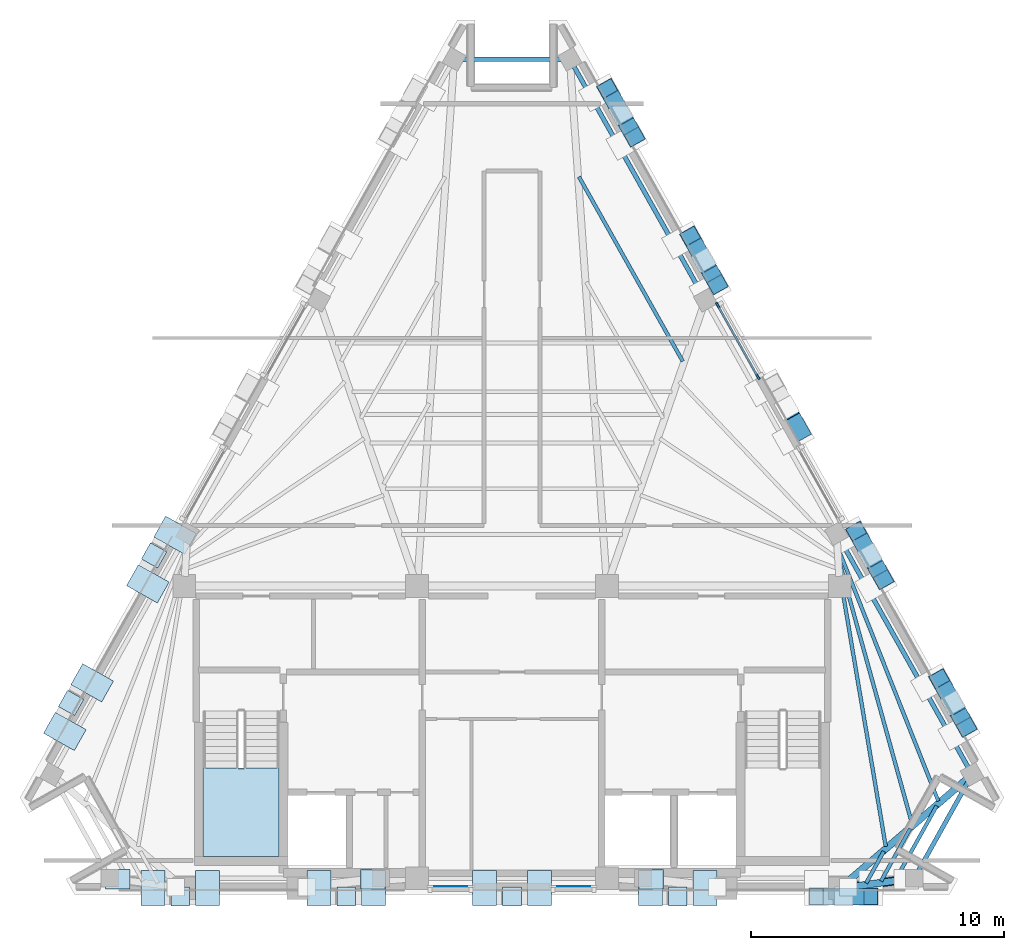
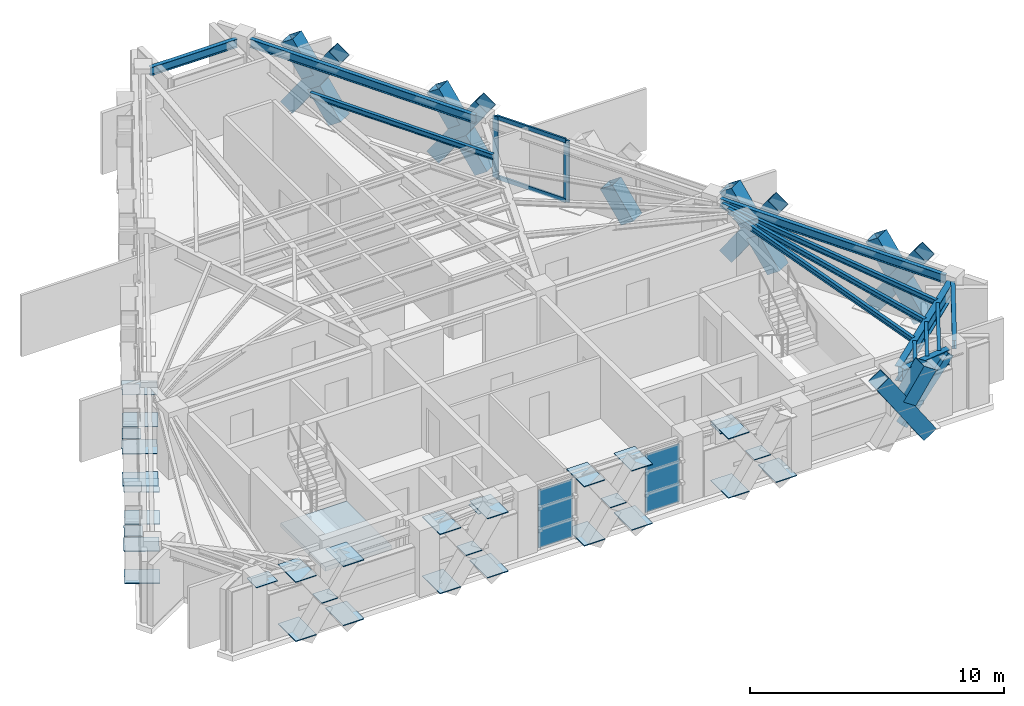
# One storey, part 3 of 8: 34 plates, 20 members, 13 beams, 1 slab, 4 elements without a shape of their own.
"""IFC4 building model written with IfcOpenShell, lengths in metres."""

from ifc_helpers import new_model, si_unit, direction, frame, origin, origin_2d, place, context, subcontext, project, spatial, polyline, rectangle, hollow_rectangle, i_section, outline, extrude, material, layer, layer_set, material_profile, profile_set, type_object, element, aggregate, save


model = new_model("IFC4")

# Units and contexts
model_context = context("Model", 3, precision=1e-05, world=origin(), true_north=direction((0.0, 1.0)))
body_context = subcontext(model_context, "Body", "Model", "MODEL_VIEW")
ifc_project = project(units=[si_unit("LENGTHUNIT", "METRE"), si_unit("AREAUNIT", "SQUARE_METRE"), si_unit("VOLUMEUNIT", "CUBIC_METRE"), si_unit("PLANEANGLEUNIT", "RADIAN"), si_unit("MASSUNIT", "GRAM", prefix="KILO")], contexts=[model_context])

# Site, building, storey
site_placement = place(None, origin())
site = spatial("IfcSite", under=ifc_project, at=site_placement, CompositionType="ELEMENT")
building_placement = place(site_placement, origin())
building = spatial("IfcBuilding", under=site, at=building_placement, Name="Quenlor Broadcast Tower", CompositionType="ELEMENT")
storey_placement = place(building_placement, frame((0.0, 0.0, 283.699951171875)))
storey = spatial("IfcBuildingStorey", under=building, at=storey_placement, Name="L79", CompositionType="ELEMENT", Elevation=283.699951171875)

# Curtain wall, members
ifc_material_1 = material(Name="Architectural Terracotta and Low-E Glazing", Category="masonry")
curtain_wall_type = type_object("IfcCurtainWallType", Name="Station Concourse and Crown Terracotta Curtain Wall", PredefinedType="NOTDEFINED", material=ifc_material_1)
curtain_wall_1_placement = place(storey_placement, origin())
curtain_wall_1 = element("IfcCurtainWall", 1, at=curtain_wall_1_placement, inside=storey, type_object=curtain_wall_type, Name="L79 Curtain Wall CW6 (L79-NE-G1)", PredefinedType="NOTDEFINED")
ifc_material_2 = material(Name="Aluminium 6063-T6", Category="aluminium")
ifc_material_profile_1 = material_profile(ifc_material_2, rectangle(XDim=0.08203125, YDim=0.239990234375, at=origin_2d()))
ifc_profile_set_1 = profile_set([ifc_material_profile_1], Name="Aluminium 6063-T6 MULL82x240")
member_type_1 = type_object("IfcMemberType", Name="CW6 Aluminium Mullion MULL_CW6", PredefinedType="MULLION", material=ifc_profile_set_1)
member_1_placement = place(storey_placement, frame((8.126220703125, 6.29052734375, 0.0), z_axis=(0.0, 0.0, 1.0), x_axis=(0.871571523235, 0.490268375367, 0.0)))
member_1 = element("IfcMember", 2, at=member_1_placement, type_object=member_type_1, Name="CW6 mullion 1", PredefinedType="MULLION", context=body_context, shape_type="SweptSolid", body=[
    extrude(rectangle(XDim=0.08203125, YDim=0.239990234375, at=origin_2d()), origin(), (0.0, 0.0, 1.0), 2.949951171875),
])
member_2_placement = place(storey_placement, frame((9.717041015625, 3.46240234375, 0.0), z_axis=(0.0, 0.0, 1.0), x_axis=(0.871571523235, 0.490268375367, 0.0)))
member_2 = element("IfcMember", 3, at=member_2_placement, type_object=member_type_1, Name="CW6 mullion 2", PredefinedType="MULLION", context=body_context, shape_type="SweptSolid", body=[
    extrude(rectangle(XDim=0.08203125, YDim=0.239990234375, at=origin_2d()), origin(), (0.0, 0.0, 1.0), 2.949951171875),
])
ifc_material_3 = material(Name="Aluminium 6063-T6", Category="aluminium")
ifc_material_profile_2 = material_profile(ifc_material_3, rectangle(XDim=0.08203125, YDim=0.195068359375, at=origin_2d()))
ifc_profile_set_2 = profile_set([ifc_material_profile_2], Name="Aluminium 6063-T6 TRAN82x195")
member_type_2 = type_object("IfcMemberType", Name="CW6 Aluminium Transom TRAN_CW6", PredefinedType="USERDEFINED", material=ifc_profile_set_2)
member_3_placement = place(storey_placement, frame((8.146240234375, 6.254638671875, 0.041015625), z_axis=(0.490250244801, -0.871581721626, 0.0), x_axis=(0.871581721626, 0.490250244801, 0.0)))
member_3 = element("IfcMember", 4, at=member_3_placement, type_object=member_type_2, Name="CW6 transom 1.1", ObjectType="TRANSOM", PredefinedType="USERDEFINED", context=body_context, shape_type="SweptSolid", body=[
    extrude(rectangle(XDim=0.08203125, YDim=0.195068359375, at=origin_2d()), origin(), (0.0, 0.0, 1.0), 3.162841796875),
])
member_4_placement = place(storey_placement, frame((8.146240234375, 6.254638671875, 2.908935546875), z_axis=(0.490250244801, -0.871581721626, 0.0), x_axis=(0.871581721626, 0.490250244801, 0.0)))
member_4 = element("IfcMember", 5, at=member_4_placement, type_object=member_type_2, Name="CW6 transom 1.2", ObjectType="TRANSOM", PredefinedType="USERDEFINED", context=body_context, shape_type="SweptSolid", body=[
    extrude(rectangle(XDim=0.08203125, YDim=0.195068359375, at=origin_2d()), origin(), (0.0, 0.0, 1.0), 3.162841796875),
])
aggregate(curtain_wall_1, [member_1, member_2, member_3, member_4])

# Beams
ifc_material_4 = material(Name="Steel S355", Category="steel")
ifc_material_profile_3 = material_profile(ifc_material_4, i_section(OverallWidth=0.14599609375, OverallDepth=0.256103515625, WebThickness=0.00634765625, FlangeThickness=0.010986328125, FilletRadius=0.0087890625, at=origin_2d()))
ifc_profile_set_3 = profile_set([ifc_material_profile_3], Name="Steel S355 250UB37.3")
beam_type_1 = type_object("IfcBeamType", Name="Crown Deck Joist Steel S355 250UB37.3", PredefinedType="JOIST", material=ifc_profile_set_3)
beam_1_placement = place(storey_placement, frame((14.76806640625, -15.09619140625, 2.822021484375), z_axis=(-0.166553293246, 0.986032454085, 0.0), x_axis=(-0.986032454085, -0.166553293246, 0.0)))
element("IfcBeam", 6, at=beam_1_placement, inside=storey, type_object=beam_type_1, Name="L79 Secondary Composite Joist 16", PredefinedType="JOIST", context=body_context, shape_type="SweptSolid", body=[
    extrude(i_section(OverallWidth=0.14599609375, OverallDepth=0.256103515625, WebThickness=0.00634765625, FlangeThickness=0.010986328125, FilletRadius=0.0087890625, at=origin_2d()), origin(), (0.0, 0.0, 1.0), 11.097900390625),
])
beam_2_placement = place(storey_placement, frame((15.806396484375, -14.197998046875, 2.822021484375), z_axis=(-0.26744552871, 0.96357298072, 0.0), x_axis=(-0.96357298072, -0.26744552871, 0.0)))
element("IfcBeam", 7, at=beam_2_placement, inside=storey, type_object=beam_type_1, Name="L79 Secondary Composite Joist 17", PredefinedType="JOIST", context=body_context, shape_type="SweptSolid", body=[
    extrude(i_section(OverallWidth=0.14599609375, OverallDepth=0.256103515625, WebThickness=0.00634765625, FlangeThickness=0.010986328125, FilletRadius=0.0087890625, at=origin_2d()), origin(), (0.0, 0.0, 1.0), 10.856689453125),
])
beam_3_placement = place(storey_placement, frame((16.8447265625, -13.300537109375, 2.822021484375), z_axis=(-0.368680258049, 0.929556274426, 0.0), x_axis=(-0.929556274426, -0.368680258049, 0.0)))
element("IfcBeam", 8, at=beam_3_placement, inside=storey, type_object=beam_type_1, Name="L79 Secondary Composite Joist 18", PredefinedType="JOIST", context=body_context, shape_type="SweptSolid", body=[
    extrude(i_section(OverallWidth=0.14599609375, OverallDepth=0.256103515625, WebThickness=0.00634765625, FlangeThickness=0.010986328125, FilletRadius=0.0087890625, at=origin_2d()), origin(), (0.0, 0.0, 1.0), 10.737548828125),
])
beam_4_placement = place(storey_placement, frame((13.9912109375, -16.544189453125, 2.822021484375), z_axis=(0.486624304452, 0.873611347406, 0.0), x_axis=(-0.873611347406, 0.486624304452, 0.0)))
element("IfcBeam", 9, at=beam_4_placement, inside=storey, type_object=beam_type_1, Name="L79 Secondary Composite Joist 22", PredefinedType="JOIST", context=body_context, shape_type="SweptSolid", body=[
    extrude(i_section(OverallWidth=0.14599609375, OverallDepth=0.256103515625, WebThickness=0.00634765625, FlangeThickness=0.010986328125, FilletRadius=0.0087890625, at=origin_2d()), origin(), (0.0, 0.0, 1.0), 1.435791015625),
])
beam_5_placement = place(storey_placement, frame((14.58056640625, -16.464111328125, 2.822021484375), z_axis=(0.486820963037, 0.873501774439, 0.0), x_axis=(-0.873501774439, 0.486820963037, 0.0)))
element("IfcBeam", 10, at=beam_5_placement, inside=storey, type_object=beam_type_1, Name="L79 Secondary Composite Joist 23", PredefinedType="JOIST", context=body_context, shape_type="SweptSolid", body=[
    extrude(i_section(OverallWidth=0.14599609375, OverallDepth=0.256103515625, WebThickness=0.00634765625, FlangeThickness=0.010986328125, FilletRadius=0.0087890625, at=origin_2d()), origin(), (0.0, 0.0, 1.0), 2.37451171875),
])
beam_6_placement = place(storey_placement, frame((15.170166015625, -16.384033203125, 2.822021484375), z_axis=(0.486762404011, 0.873534408046, 0.0), x_axis=(-0.873534408046, 0.486762404011, 0.0)))
element("IfcBeam", 11, at=beam_6_placement, inside=storey, type_object=beam_type_1, Name="L79 Secondary Composite Joist 24", PredefinedType="JOIST", context=body_context, shape_type="SweptSolid", body=[
    extrude(i_section(OverallWidth=0.14599609375, OverallDepth=0.256103515625, WebThickness=0.00634765625, FlangeThickness=0.010986328125, FilletRadius=0.0087890625, at=origin_2d()), origin(), (0.0, 0.0, 1.0), 3.313232421875),
])
beam_7_placement = place(storey_placement, frame((2.646240234375, 11.364013671875, 2.822021484375), z_axis=(0.490264011812, -0.871573977768, 0.0), x_axis=(0.871573977768, 0.490264011812, 0.0)))
element("IfcBeam", 12, at=beam_7_placement, inside=storey, type_object=beam_type_1, Name="L79 Secondary Composite Joist 30", PredefinedType="JOIST", context=body_context, shape_type="SweptSolid", body=[
    extrude(i_section(OverallWidth=0.14599609375, OverallDepth=0.256103515625, WebThickness=0.00634765625, FlangeThickness=0.010986328125, FilletRadius=0.0087890625, at=origin_2d()), origin(), (0.0, 0.0, 1.0), 8.362548828125),
])
ifc_material_5 = material(Name="Steel S355", Category="steel")
ifc_material_profile_4 = material_profile(ifc_material_5, i_section(OverallWidth=0.27490234375, OverallDepth=0.716064453125, WebThickness=0.013916015625, FlangeThickness=0.02490234375, FilletRadius=0.013916015625, at=origin_2d()))
ifc_profile_set_4 = profile_set([ifc_material_profile_4], Name="Steel S355 700WB173")
beam_type_2 = type_object("IfcBeamType", Name="Crown Plant Ring Girder Steel S355 700WB173", PredefinedType="BEAM", material=ifc_profile_set_4)
beam_8_placement = place(storey_placement, frame((15.59033203125, -16.3916015625, 2.592041015625), z_axis=(-0.990908681621, -0.134536183561, 0.0), x_axis=(0.134536183561, -0.990908681621, 0.0)))
element("IfcBeam", 13, at=beam_8_placement, inside=storey, type_object=beam_type_2, Name="L79 Primary Radial Beam S4", PredefinedType="BEAM", context=body_context, shape_type="SweptSolid", body=[
    extrude(i_section(OverallWidth=0.27490234375, OverallDepth=0.716064453125, WebThickness=0.013916015625, FlangeThickness=0.02490234375, FilletRadius=0.013916015625, at=origin_2d()), origin(), (0.0, 0.0, 1.0), 2.28466796875),
])
beam_9_placement = place(storey_placement, frame((17.947265625, -12.451904296875, 2.592041015625), z_axis=(-0.758156826123, -0.652072255968, 0.0), x_axis=(0.652072255968, -0.758156826123, 0.0)))
element("IfcBeam", 14, at=beam_9_placement, inside=storey, type_object=beam_type_2, Name="L79 Primary Radial Beam NE1", PredefinedType="BEAM", context=body_context, shape_type="SweptSolid", body=[
    extrude(i_section(OverallWidth=0.27490234375, OverallDepth=0.716064453125, WebThickness=0.013916015625, FlangeThickness=0.02490234375, FilletRadius=0.013916015625, at=origin_2d()), origin(), (0.0, 0.0, 1.0), 6.21142578125),
])

# Members
ifc_material_6 = material(Name="Steel S355", Category="steel")
ifc_material_profile_5 = material_profile(ifc_material_6, hollow_rectangle(XDim=0.35009765625, YDim=0.35009765625, WallThickness=0.02001953125, at=origin_2d()))
ifc_profile_set_5 = profile_set([ifc_material_profile_5], Name="Steel S355 RHS350x350x20")
member_type_3 = type_object("IfcMemberType", Name="Crown Sloped Raking Chord Steel S355 RHS350x20", PredefinedType="CHORD", material=ifc_profile_set_5)
member_5_placement = place(storey_placement, frame((13.286865234375, -16.704345703125, 0.25), z_axis=(0.676132711062, 0.091758297669, 0.731043755079), x_axis=(-0.134477773083, 0.990916610289, 0.0)))
element("IfcMember", 15, at=member_5_placement, inside=storey, type_object=member_type_3, Name="L79 Crown Plant Bracing Chord 2", PredefinedType="CHORD", context=body_context, shape_type="SweptSolid", body=[
    extrude(hollow_rectangle(XDim=0.35009765625, YDim=0.35009765625, WallThickness=0.02001953125, at=origin_2d()), origin(), (0.0, 0.0, 1.0), 3.392333984375),
])
ifc_material_7 = material(Name="Steel S355", Category="steel")
ifc_material_profile_6 = material_profile(ifc_material_7, hollow_rectangle(XDim=0.679931640625, YDim=0.679931640625, WallThickness=0.02001953125, at=origin_2d()))
ifc_profile_set_6 = profile_set([ifc_material_profile_6], Name="Steel S355 RHS680x680x20")
member_type_4 = type_object("IfcMemberType", Name="Perimeter Diagonal Lattice Brace Z5-Crown Steel S355 RHS680x20", PredefinedType="BRACE", material=ifc_profile_set_6)
member_6_placement = place(storey_placement, frame((14.182861328125, -17.070068359375, -0.119873046875), z_axis=(-0.559071894658, 0.0, 0.829119181182), x_axis=(0.0, -1.0, 0.0)))
element("IfcMember", 16, at=member_6_placement, inside=storey, type_object=member_type_4, Name="L79 Perimeter Diamond Lattice S-C1XA", PredefinedType="BRACE", context=body_context, shape_type="SweptSolid", body=[
    extrude(hollow_rectangle(XDim=0.679931640625, YDim=0.679931640625, WallThickness=0.02001953125, at=origin_2d()), origin(), (0.0, 0.0, 1.0), 3.859375),
])
member_7_placement = place(storey_placement, frame((13.243896484375, -17.070068359375, 1.687255859375), z_axis=(0.558985996415, 0.0, 0.829177095566), x_axis=(0.0, 1.0, 0.0)))
element("IfcMember", 17, at=member_7_placement, inside=storey, type_object=member_type_4, Name="L79 Perimeter Diamond Lattice S-C1XB2", PredefinedType="BRACE", context=body_context, shape_type="SweptSolid", body=[
    extrude(hollow_rectangle(XDim=0.679931640625, YDim=0.679931640625, WallThickness=0.02001953125, at=origin_2d()), origin(), (0.0, 0.0, 1.0), 1.6796875),
])
member_8_placement = place(storey_placement, frame((3.761962890625, 14.85498046875, -0.119873046875), z_axis=(0.278011753881, -0.494250100424, 0.823666378417), x_axis=(0.871578496623, 0.490255978266, 0.0)))
element("IfcMember", 18, at=member_8_placement, inside=storey, type_object=member_type_4, Name="L79 Perimeter Diamond Lattice NE-C1XA", PredefinedType="BRACE", context=body_context, shape_type="SweptSolid", body=[
    extrude(hollow_rectangle(XDim=0.679931640625, YDim=0.679931640625, WallThickness=0.02001953125, at=origin_2d()), origin(), (0.0, 0.0, 1.0), 3.885009765625),
])
member_9_placement = place(storey_placement, frame((4.842041015625, 12.934814453125, -0.119873046875), z_axis=(-0.277979553584, 0.494217929725, 0.823696549542), x_axis=(-0.87158912515, -0.49023708236, 0.0)))
element("IfcMember", 19, at=member_9_placement, inside=storey, type_object=member_type_4, Name="L79 Perimeter Diamond Lattice NE-C1XB1", PredefinedType="BRACE", context=body_context, shape_type="SweptSolid", body=[
    extrude(hollow_rectangle(XDim=0.679931640625, YDim=0.679931640625, WallThickness=0.02001953125, at=origin_2d()), origin(), (0.0, 0.0, 1.0), 1.6923828125),
])
member_10_placement = place(storey_placement, frame((4.232421875, 14.018310546875, 1.68603515625), z_axis=(-0.27795973469, 0.494326938653, 0.823637823083), x_axis=(-0.871650246414, -0.490128399428, 0.0)))
element("IfcMember", 20, at=member_10_placement, inside=storey, type_object=member_type_4, Name="L79 Perimeter Diamond Lattice NE-C1XB2", PredefinedType="BRACE", context=body_context, shape_type="SweptSolid", body=[
    extrude(hollow_rectangle(XDim=0.679931640625, YDim=0.679931640625, WallThickness=0.02001953125, at=origin_2d()), origin(), (0.0, 0.0, 1.0), 1.692626953125),
])
member_11_placement = place(storey_placement, frame((7.04150390625, 9.024658203125, -0.119873046875), z_axis=(0.278011753881, -0.494250100424, 0.823666378417), x_axis=(0.871578496623, 0.490255978266, 0.0)))
element("IfcMember", 21, at=member_11_placement, inside=storey, type_object=member_type_4, Name="L79 Perimeter Diamond Lattice NE-C2XA", PredefinedType="BRACE", context=body_context, shape_type="SweptSolid", body=[
    extrude(hollow_rectangle(XDim=0.679931640625, YDim=0.679931640625, WallThickness=0.02001953125, at=origin_2d()), origin(), (0.0, 0.0, 1.0), 3.885009765625),
])
member_12_placement = place(storey_placement, frame((8.12158203125, 7.1044921875, -0.119873046875), z_axis=(-0.278112653694, 0.494198107654, 0.823663512757), x_axis=(-0.871480414068, -0.490430308909, 0.0)))
element("IfcMember", 22, at=member_12_placement, inside=storey, type_object=member_type_4, Name="L79 Perimeter Diamond Lattice NE-C2XB1", PredefinedType="BRACE", context=body_context, shape_type="SweptSolid", body=[
    extrude(hollow_rectangle(XDim=0.679931640625, YDim=0.679931640625, WallThickness=0.02001953125, at=origin_2d()), origin(), (0.0, 0.0, 1.0), 1.6923828125),
])
member_13_placement = place(storey_placement, frame((7.511962890625, 8.18798828125, 1.68603515625), z_axis=(-0.27795973469, 0.494326938653, 0.823637823083), x_axis=(-0.871650246414, -0.490128399428, 0.0)))
element("IfcMember", 23, at=member_13_placement, inside=storey, type_object=member_type_4, Name="L79 Perimeter Diamond Lattice NE-C2XB2", PredefinedType="BRACE", context=body_context, shape_type="SweptSolid", body=[
    extrude(hollow_rectangle(XDim=0.679931640625, YDim=0.679931640625, WallThickness=0.02001953125, at=origin_2d()), origin(), (0.0, 0.0, 1.0), 1.692626953125),
])
member_14_placement = place(storey_placement, frame((11.40087890625, 1.2744140625, -0.119873046875), z_axis=(-0.277979553584, 0.494217929725, 0.823696549542), x_axis=(-0.87158912515, -0.49023708236, 0.0)))
element("IfcMember", 24, at=member_14_placement, inside=storey, type_object=member_type_4, Name="L79 Perimeter Diamond Lattice NE-C3XB1", PredefinedType="BRACE", context=body_context, shape_type="SweptSolid", body=[
    extrude(hollow_rectangle(XDim=0.679931640625, YDim=0.679931640625, WallThickness=0.02001953125, at=origin_2d()), origin(), (0.0, 0.0, 1.0), 1.6923828125),
])
member_15_placement = place(storey_placement, frame((13.6005859375, -2.6357421875, -0.119873046875), z_axis=(0.277953767715, -0.494258734587, 0.823680767226), x_axis=(0.871625847005, 0.490171789104, 0.0)))
element("IfcMember", 25, at=member_15_placement, inside=storey, type_object=member_type_4, Name="L79 Perimeter Diamond Lattice NE-C4XA", PredefinedType="BRACE", context=body_context, shape_type="SweptSolid", body=[
    extrude(hollow_rectangle(XDim=0.679931640625, YDim=0.679931640625, WallThickness=0.02001953125, at=origin_2d()), origin(), (0.0, 0.0, 1.0), 3.885009765625),
])
member_16_placement = place(storey_placement, frame((14.680419921875, -4.555908203125, -0.119873046875), z_axis=(-0.277979553584, 0.494217929725, 0.823696549542), x_axis=(-0.87158912515, -0.49023708236, 0.0)))
element("IfcMember", 26, at=member_16_placement, inside=storey, type_object=member_type_4, Name="L79 Perimeter Diamond Lattice NE-C4XB1", PredefinedType="BRACE", context=body_context, shape_type="SweptSolid", body=[
    extrude(hollow_rectangle(XDim=0.679931640625, YDim=0.679931640625, WallThickness=0.02001953125, at=origin_2d()), origin(), (0.0, 0.0, 1.0), 1.6923828125),
])
member_17_placement = place(storey_placement, frame((14.071044921875, -3.472412109375, 1.68603515625), z_axis=(-0.27795973469, 0.494326938653, 0.823637823083), x_axis=(-0.871650246414, -0.490128399428, 0.0)))
element("IfcMember", 27, at=member_17_placement, inside=storey, type_object=member_type_4, Name="L79 Perimeter Diamond Lattice NE-C4XB2", PredefinedType="BRACE", context=body_context, shape_type="SweptSolid", body=[
    extrude(hollow_rectangle(XDim=0.679931640625, YDim=0.679931640625, WallThickness=0.02001953125, at=origin_2d()), origin(), (0.0, 0.0, 1.0), 1.692626953125),
])
member_18_placement = place(storey_placement, frame((16.8798828125, -8.466064453125, -0.119873046875), z_axis=(0.278011753881, -0.494250100424, 0.823666378417), x_axis=(0.871578496623, 0.490255978266, 0.0)))
element("IfcMember", 28, at=member_18_placement, inside=storey, type_object=member_type_4, Name="L79 Perimeter Diamond Lattice NE-C5XA", PredefinedType="BRACE", context=body_context, shape_type="SweptSolid", body=[
    extrude(hollow_rectangle(XDim=0.679931640625, YDim=0.679931640625, WallThickness=0.02001953125, at=origin_2d()), origin(), (0.0, 0.0, 1.0), 3.885009765625),
])
for number, where, z_axis, x_axis, name in (
    (29, (17.9599609375, -10.38623046875, -0.119873046875), (-0.277979553584, 0.494217929725, 0.823696549542), (-0.87158912515, -0.49023708236, 0.0), "L79 Perimeter Diamond Lattice NE-C5XB1"),
    (30, (17.3505859375, -9.302490234375, 1.68603515625), (-0.278112653694, 0.494198107654, 0.823663512757), (-0.871480414068, -0.490430308909, 0.0), "L79 Perimeter Diamond Lattice NE-C5XB2"),
):
    element("IfcMember", number, at=place(storey_placement, frame(where, z_axis=z_axis, x_axis=x_axis)), inside=storey, type_object=member_type_4, Name=name, PredefinedType="BRACE", context=body_context, shape_type="SweptSolid", body=[
        extrude(hollow_rectangle(XDim=0.679931640625, YDim=0.679931640625, WallThickness=0.02001953125, at=origin_2d()), origin(), (0.0, 0.0, 1.0), 1.6923828125),
    ])

# Beams
ifc_material_8 = material(Name="Steel S355", Category="steel")
ifc_material_profile_7 = material_profile(ifc_material_8, i_section(OverallWidth=0.177978515625, OverallDepth=0.406494140625, WebThickness=0.0078125, FlangeThickness=0.0126953125, FilletRadius=0.011474609375, at=origin_2d()))
ifc_profile_set_7 = profile_set([ifc_material_profile_7], Name="Steel S355 410UB59.7")
beam_type_3 = type_object("IfcBeamType", Name="Perimeter Spandrel Beam Z5 Steel S355 410UB59.7", PredefinedType="SPANDREL", material=ifc_profile_set_7)
beam_10_placement = place(storey_placement, frame((16.048583984375, -16.0791015625, 2.746826171875), z_axis=(0.486777294572, 0.873526110365, 0.0), x_axis=(-0.873526110365, 0.486777294572, 0.0)))
element("IfcBeam", 31, at=beam_10_placement, inside=storey, type_object=beam_type_3, Name="L79 Spandrel Beam S4-NE1", PredefinedType="SPANDREL", context=body_context, shape_type="SweptSolid", body=[
    extrude(i_section(OverallWidth=0.177978515625, OverallDepth=0.406494140625, WebThickness=0.0078125, FlangeThickness=0.0126953125, FilletRadius=0.011474609375, at=origin_2d()), origin(), (0.0, 0.0, 1.0), 4.073486328125),
])
beam_11_placement = place(storey_placement, frame((18.0302734375, -11.979736328125, 2.746826171875), z_axis=(-0.490249992991, 0.871581863265, 0.0), x_axis=(-0.871581863265, -0.490249992991, 0.0)))
element("IfcBeam", 32, at=beam_11_placement, inside=storey, type_object=beam_type_3, Name="L79 Spandrel Beam NE1-NE2", PredefinedType="SPANDREL", context=body_context, shape_type="SweptSolid", body=[
    extrude(i_section(OverallWidth=0.177978515625, OverallDepth=0.406494140625, WebThickness=0.0078125, FlangeThickness=0.0126953125, FilletRadius=0.011474609375, at=origin_2d()), origin(), (0.0, 0.0, 1.0), 10.306396484375),
])
beam_12_placement = place(storey_placement, frame((7.489501953125, 6.759521484375, 2.746826171875), z_axis=(-0.490260114949, 0.871576169758, 0.0), x_axis=(-0.871576169758, -0.490260114949, 0.0)))
element("IfcBeam", 33, at=beam_12_placement, inside=storey, type_object=beam_type_3, Name="L79 Spandrel Beam NE3-NE4", PredefinedType="SPANDREL", context=body_context, shape_type="SweptSolid", body=[
    extrude(i_section(OverallWidth=0.177978515625, OverallDepth=0.406494140625, WebThickness=0.0078125, FlangeThickness=0.0126953125, FilletRadius=0.011474609375, at=origin_2d()), origin(), (0.0, 0.0, 1.0), 10.30615234375),
])
beam_13_placement = place(storey_placement, frame((1.974609375, 16.012451171875, 2.746826171875), z_axis=(-1.0, 0.0, 0.0), x_axis=(0.0, -1.0, 0.0)))
element("IfcBeam", 34, at=beam_13_placement, inside=storey, type_object=beam_type_3, Name="L79 Spandrel Beam NE4-NW1", PredefinedType="SPANDREL", context=body_context, shape_type="SweptSolid", body=[
    extrude(i_section(OverallWidth=0.177978515625, OverallDepth=0.406494140625, WebThickness=0.0078125, FlangeThickness=0.0126953125, FilletRadius=0.011474609375, at=origin_2d()), origin(), (0.0, 0.0, 1.0), 3.94921875),
])

# Curtain wall, plate
curtain_wall_2_placement = place(storey_placement, origin())
curtain_wall_2 = element("IfcCurtainWall", 35, at=curtain_wall_2_placement, inside=storey, type_object=curtain_wall_type, Name="L79 Curtain Wall CW6 (L79-S-G1)", PredefinedType="NOTDEFINED")
ifc_material_9 = material(Name="Double Glazed Low-E Solar Glass", Category="glass")
ifc_layer_1 = layer(ifc_material_9, 0.033935546875)
ifc_layer_set_1 = layer_set([ifc_layer_1], Name="CW6 Double Glazed Vision Panel 34")
plate_type_1 = type_object("IfcPlateType", Name="CW6 Double Glazed Vision Panel 34", PredefinedType="CURTAIN_PANEL", material=ifc_layer_set_1)
plate_1_placement = place(storey_placement, frame((2.424560546875, -16.675048828125, 0.08203125), z_axis=(0.0, 0.0, 1.0), x_axis=(-1.0, 0.0, 0.0)))
plate_1 = element("IfcPlate", 36, at=plate_1_placement, type_object=plate_type_1, Name="CW6 panel 1.1", PredefinedType="CURTAIN_PANEL", context=body_context, shape_type="SweptSolid", body=[
    extrude(rectangle(XDim=1.547119140625, YDim=0.033935546875, at=origin_2d()), origin(), (0.0, 0.0, 1.0), 2.785888671875),
])
aggregate(curtain_wall_2, [plate_1])

curtain_wall_3_placement = place(storey_placement, origin())
curtain_wall_3 = element("IfcCurtainWall", 37, at=curtain_wall_3_placement, inside=storey, type_object=curtain_wall_type, Name="L79 Curtain Wall CW6 (L79-S-G2)", PredefinedType="NOTDEFINED")
plate_2_placement = place(storey_placement, frame((-2.424560546875, -16.675048828125, 0.08203125), z_axis=(0.0, 0.0, 1.0), x_axis=(-1.0, 0.0, 0.0)))
plate_2 = element("IfcPlate", 38, at=plate_2_placement, type_object=plate_type_1, Name="CW6 panel 1.1", PredefinedType="CURTAIN_PANEL", context=body_context, shape_type="SweptSolid", body=[
    extrude(rectangle(XDim=1.547119140625, YDim=0.033935546875, at=origin_2d()), origin(), (0.0, 0.0, 1.0), 2.785888671875),
])
aggregate(curtain_wall_3, [plate_2])

# Plates
ifc_material_10 = material(Name="Steel S355", Category="steel")
ifc_layer_2 = layer(ifc_material_10, 0.028076171875)
ifc_layer_set_2 = layer_set([ifc_layer_2], Name="Perimeter Lattice Node Steel S355 Cap Plate 740x740x28")
plate_type_2 = type_object("IfcPlateType", Name="Perimeter Lattice Node Steel S355 Cap Plate 740x740x28", PredefinedType="USERDEFINED", material=ifc_layer_set_2)
for number, where, z_axis, x_axis, name in (
    (39, (6.552001953125, -17.070068359375, 1.4658203125), (0.0, 0.0, 1.0), (-1.0, 0.0, 0.0), "L79 Diamond Lattice Crossing Node S-C2"),
    (40, (0.0, -17.070068359375, 1.4658203125), (0.0, 0.0, 1.0), (-1.0, 0.0, 0.0), "L79 Diamond Lattice Crossing Node S-C3"),
    (41, (-6.552001953125, -17.070068359375, 1.4658203125), (0.0, 0.0, 1.0), (-1.0, 0.0, 0.0), "L79 Diamond Lattice Crossing Node S-C4"),
    (42, (-13.10400390625, -17.070068359375, 1.4658203125), (0.0, 0.0, 1.0), (-1.0, 0.0, 0.0), "L79 Diamond Lattice Crossing Node S-C5"),
    (43, (-17.419921875, -9.426025390625, 1.4658203125), (0.0, 0.0, 1.0), (0.490295412055, 0.871556314255, 0.0), "L79 Diamond Lattice Crossing Node NW-C1"),
    (44, (-14.140380859375, -3.595947265625, 1.4658203125), (0.0, 0.0, 1.0), (0.490295412055, 0.871556314255, 0.0), "L79 Diamond Lattice Crossing Node NW-C2"),
):
    element("IfcPlate", number, at=place(storey_placement, frame(where, z_axis=z_axis, x_axis=x_axis)), inside=storey, type_object=plate_type_2, Name=name, ObjectType="CAP PLATE", PredefinedType="USERDEFINED", context=body_context, shape_type="SweptSolid", body=[
        extrude(rectangle(XDim=0.739990234375, YDim=0.739990234375, at=origin_2d()), origin(), (0.0, 0.0, 1.0), 0.028076171875),
    ])

# Stair, slab
ifc_material_11 = material(Name="Precast concrete C40/50", Category="concrete")
stair_type = type_object("IfcStairType", Name="Precast Concrete C40/50 Dogleg Stair H320", PredefinedType="HALF_TURN_STAIR", material=ifc_material_11)
stair_placement = place(storey_placement, origin())
stair = element("IfcStair", 45, at=stair_placement, inside=storey, type_object=stair_type, Name="L79 West Core Fire-Isolated Exit Stair ST-1", PredefinedType="HALF_TURN_STAIR")
ifc_material_12 = material(Name="Precast concrete C40/50", Category="concrete")
ifc_layer_3 = layer(ifc_material_12, 0.199951171875)
ifc_layer_set_3 = layer_set([ifc_layer_3], Name="Precast Concrete C40/50 Stair Landing Slab 200")
slab_type = type_object("IfcSlabType", Name="Precast Concrete C40/50 Stair Landing Slab 200", PredefinedType="LANDING", material=ifc_layer_set_3)
slab_placement = place(storey_placement, frame((0.0, 0.0, 1.400146484375)))
slab = element("IfcSlab", 46, at=slab_placement, type_object=slab_type, Name="ST-1 landing 1", PredefinedType="LANDING", context=body_context, shape_type="SweptSolid", body=[
    extrude(outline(polyline([(-12.199951171875, -11.989990234375), (-12.199951171875, -15.5), (-9.199951171875, -15.5), (-9.199951171875, -11.989990234375), (-12.199951171875, -11.989990234375)])), origin(), (0.0, 0.0, 1.0), 0.199951171875),
])
aggregate(stair, [slab])

# Plates
ifc_material_13 = material(Name="Steel S355", Category="steel")
ifc_layer_4 = layer(ifc_material_13, 0.030029296875)
ifc_layer_set_4 = layer_set([ifc_layer_4], Name="Sloped Crown Ridge Steel S355 Gusset Plate 960x760x30")
plate_type_3 = type_object("IfcPlateType", Name="Sloped Crown Ridge Steel S355 Gusset Plate 960x760x30", PredefinedType="SHEET", material=ifc_layer_set_4)
for number, where, z_axis, x_axis, name in (
    (47, (-15.58056640625, -16.39306640625, 2.71484375), (0.0, 0.0, 1.0), (1.0, 0.0, 0.0), "L79 Crown Plant Gusset Plate CRN2-1"),
    (48, (-5.501708984375, -16.388916015625, 2.71484375), (0.0, 0.0, 1.0), (1.0, 0.0, 0.0), "L79 Crown Plant Gusset Plate CRN2-3"),
    (49, (5.501708984375, -16.388916015625, 2.71484375), (0.0, 0.0, 1.0), (1.0, 0.0, 0.0), "L79 Crown Plant Gusset Plate CRN2-4"),
):
    element("IfcPlate", number, at=place(storey_placement, frame(where, z_axis=z_axis, x_axis=x_axis)), inside=storey, type_object=plate_type_3, Name=name, PredefinedType="SHEET", context=body_context, shape_type="SweptSolid", body=[
        extrude(rectangle(XDim=0.9599609375, YDim=0.760009765625, at=origin_2d()), origin(), (0.0, 0.0, 1.0), 0.030029296875),
    ])
ifc_material_14 = material(Name="Steel S355", Category="steel")
ifc_layer_5 = layer(ifc_material_14, 0.035888671875)
ifc_layer_set_5 = layer_set([ifc_layer_5], Name="Transfer Truss Steel S355 Gusset Node Plate 1400x950x36")
plate_type_4 = type_object("IfcPlateType", Name="Transfer Truss Steel S355 Gusset Node Plate 1400x950x36", PredefinedType="SHEET", material=ifc_layer_set_5)
for number, where, z_axis, x_axis, name in (
    (50, (7.630859375, -16.735107421875, 0.0419921875), (0.0, 0.0, 1.0), (0.0, -1.0, 0.0), "L79 Lattice Tie Gusset Node S-B4"),
    (51, (5.47314453125, -16.735107421875, 2.88232421875), (0.0, 0.0, 1.0), (0.0, -1.0, 0.0), "L79 Lattice Tie Gusset Node S-T5"),
    (52, (5.47314453125, -16.735107421875, 0.0419921875), (0.0, 0.0, 1.0), (0.0, -1.0, 0.0), "L79 Lattice Tie Gusset Node S-B5"),
    (53, (1.078857421875, -16.735107421875, 0.0419921875), (0.0, 0.0, 1.0), (0.0, -1.0, 0.0), "L79 Lattice Tie Gusset Node S-B7"),
    (54, (-1.078857421875, -16.735107421875, 2.88232421875), (0.0, 0.0, 1.0), (0.0, -1.0, 0.0), "L79 Lattice Tie Gusset Node S-T8"),
    (55, (-1.078857421875, -16.735107421875, 0.0419921875), (0.0, 0.0, 1.0), (0.0, -1.0, 0.0), "L79 Lattice Tie Gusset Node S-B8"),
    (56, (1.078857421875, -16.735107421875, 2.88232421875), (0.0, 0.0, 1.0), (0.0, -1.0, 0.0), "L79 Lattice Tie Gusset Node S-T7"),
    (57, (-5.47314453125, -16.735107421875, 0.0419921875), (0.0, 0.0, 1.0), (0.0, -1.0, 0.0), "L79 Lattice Tie Gusset Node S-B10"),
    (58, (-7.630859375, -16.735107421875, 2.88232421875), (0.0, 0.0, 1.0), (0.0, -1.0, 0.0), "L79 Lattice Tie Gusset Node S-T11"),
    (59, (-7.630859375, -16.735107421875, 0.0419921875), (0.0, 0.0, 1.0), (0.0, -1.0, 0.0), "L79 Lattice Tie Gusset Node S-B11"),
    (60, (-5.47314453125, -16.735107421875, 2.88232421875), (0.0, 0.0, 1.0), (0.0, -1.0, 0.0), "L79 Lattice Tie Gusset Node S-T10"),
    (61, (-12.025146484375, -16.735107421875, 0.0419921875), (0.0, 0.0, 1.0), (0.0, -1.0, 0.0), "L79 Lattice Tie Gusset Node S-B13"),
    (62, (-14.182861328125, -16.735107421875, 2.88232421875), (0.0, 0.0, 1.0), (0.0, -1.0, 0.0), "L79 Lattice Tie Gusset Node S-T14"),
    (63, (-14.182861328125, -16.735107421875, 0.0419921875), (0.0, 0.0, 1.0), (0.0, -1.0, 0.0), "L79 Lattice Tie Gusset Node S-B14"),
    (64, (-12.025146484375, -16.735107421875, 2.88232421875), (0.0, 0.0, 1.0), (0.0, -1.0, 0.0), "L79 Lattice Tie Gusset Node S-T13"),
    (65, (-17.66796875, -10.55029296875, 0.0419921875), (0.0, 0.0, 1.0), (-0.871556314255, 0.490295412055, 0.0), "L79 Lattice Tie Gusset Node NW-B1"),
    (66, (-16.587890625, -8.63037109375, 2.88232421875), (0.0, 0.0, 1.0), (-0.871556314255, 0.490295412055, 0.0), "L79 Lattice Tie Gusset Node NW-T2"),
    (67, (-16.587890625, -8.63037109375, 0.0419921875), (0.0, 0.0, 1.0), (-0.871556314255, 0.490295412055, 0.0), "L79 Lattice Tie Gusset Node NW-B2"),
    (68, (-17.66796875, -10.55029296875, 2.88232421875), (0.0, 0.0, 1.0), (-0.871556314255, 0.490295412055, 0.0), "L79 Lattice Tie Gusset Node NW-T1"),
    (69, (-14.388427734375, -4.72021484375, 0.0419921875), (0.0, 0.0, 1.0), (-0.871556314255, 0.490295412055, 0.0), "L79 Lattice Tie Gusset Node NW-B4"),
    (70, (-13.30859375, -2.800048828125, 2.88232421875), (0.0, 0.0, 1.0), (-0.871556314255, 0.490295412055, 0.0), "L79 Lattice Tie Gusset Node NW-T5"),
    (71, (-13.30859375, -2.800048828125, 0.0419921875), (0.0, 0.0, 1.0), (-0.871556314255, 0.490295412055, 0.0), "L79 Lattice Tie Gusset Node NW-B5"),
    (72, (-14.388427734375, -4.72021484375, 2.88232421875), (0.0, 0.0, 1.0), (-0.871556314255, 0.490295412055, 0.0), "L79 Lattice Tie Gusset Node NW-T4"),
):
    element("IfcPlate", number, at=place(storey_placement, frame(where, z_axis=z_axis, x_axis=x_axis)), inside=storey, type_object=plate_type_4, Name=name, PredefinedType="SHEET", context=body_context, shape_type="SweptSolid", body=[
        extrude(rectangle(XDim=1.39990234375, YDim=0.949951171875, at=origin_2d()), origin(), (0.0, 0.0, 1.0), 0.035888671875),
    ])

save(model, "model.ifc")
